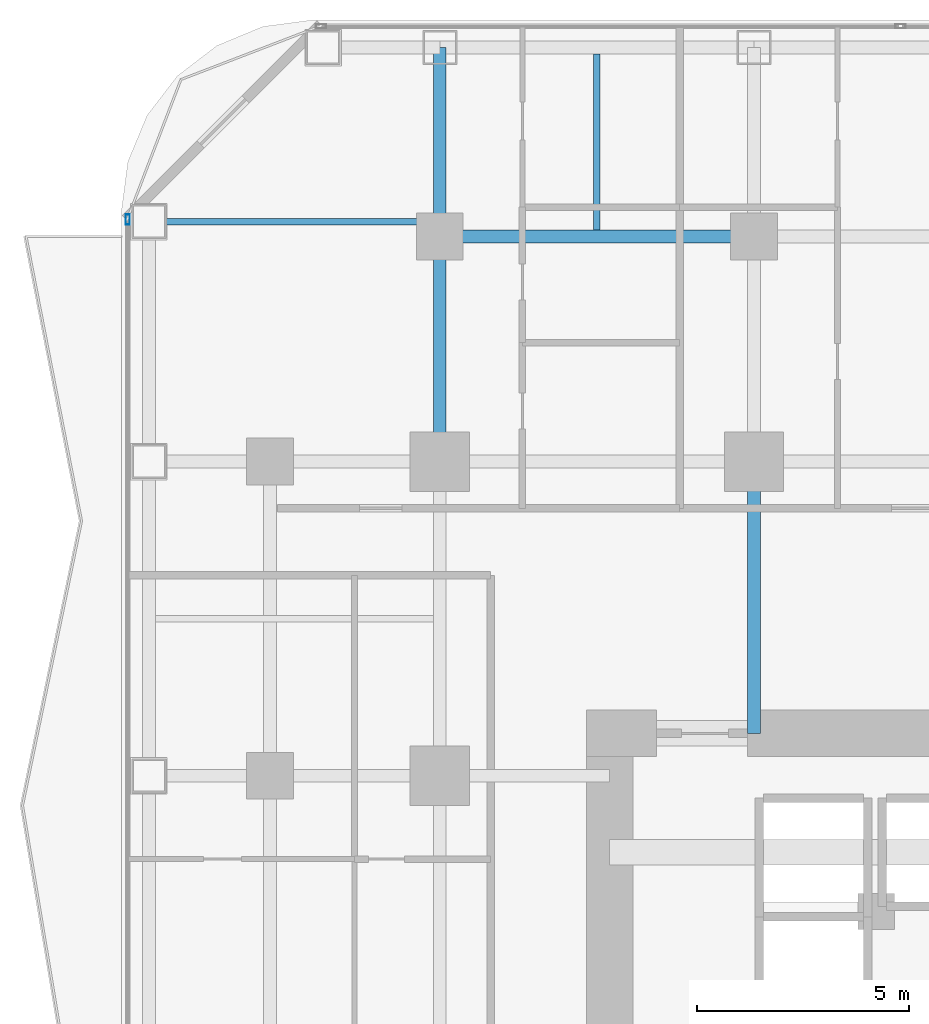
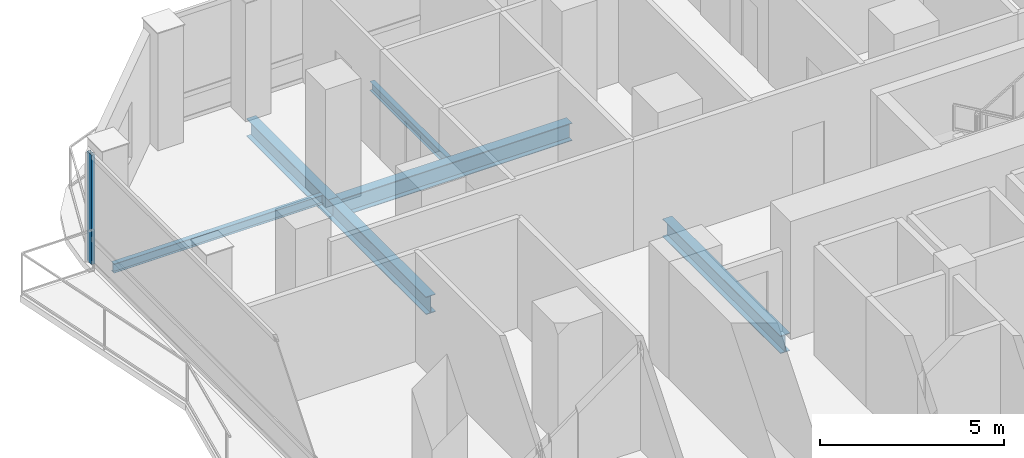
# One storey, part 14 of 27: 6 beams, 1 member, 1 element without a shape of its own.
"""IFC4 building model written with IfcOpenShell, lengths in metres."""

import ifcopenshell
import ifcopenshell.guid

model = None  # the IFC model being written
_history = None  # IfcOwnerHistory: only IFC2X3 demands one
_inside = {}  # id of a spatial element -> (the spatial element, [elements in it])
_under = {}  # id of a project, library or spatial element -> (it, [spatial elements below it])
_declared = {}  # id of a project -> (the project, [libraries it declares])
_typed = {}  # id of a type object -> (the type object, [elements of that type])
_made_of = {}  # id of a material, layer set ... -> (it, [elements and type objects made of it])


def new_model(schema):
    """Start an empty IFC model of exactly this schema.

    Asked for "IFC4X3", IfcOpenShell would pick the latest addendum, in which some entities
    have other attributes; the version numbers below select the first issue.
    IFC2X3 requires an IfcOwnerHistory on every rooted entity: one is made here for all.
    """
    global model, _history
    if schema == "IFC4X3":
        model = ifcopenshell.file(schema_version=(4, 3, 0, 0))
    else:
        model = ifcopenshell.file(schema=schema)
    _inside.clear()
    _under.clear()
    _declared.clear()
    _typed.clear()
    _made_of.clear()
    _history = None
    if model.schema == "IFC2X3":
        org = make("IfcOrganization", Name="unknown")
        user = make(
            "IfcPersonAndOrganization",
            ThePerson=make("IfcPerson", FamilyName="unknown"),
            TheOrganization=org,
        )
        app = make(
            "IfcApplication",
            ApplicationDeveloper=org,
            Version="unknown",
            ApplicationFullName="unknown",
            ApplicationIdentifier="unknown",
        )
        _history = make(
            "IfcOwnerHistory",
            OwningUser=user,
            OwningApplication=app,
            ChangeAction="ADDED",
            CreationDate=0,
        )
    return model


def make(cls, **values):
    """One entity of the class cls with the attributes given. An attribute that is None is left unset."""
    return model.create_entity(
        cls, **{name: value for name, value in values.items() if value is not None}
    )


def rooted(cls, **values):
    """An entity with a GlobalId (a new one), such as an element, a storey or a relation."""
    return make(cls, GlobalId=ifcopenshell.guid.new(), OwnerHistory=_history, **values)


def si_unit(unit_type, name, prefix=None):
    """IfcSIUnit, for example si_unit("LENGTHUNIT", "METRE", prefix="MILLI")."""
    return make("IfcSIUnit", UnitType=unit_type, Prefix=prefix, Name=name)


def assignment(units):
    """IfcUnitAssignment: the units of a project."""
    return None if units is None else make("IfcUnitAssignment", Units=units)


def point(xyz):
    """IfcCartesianPoint."""
    return None if xyz is None else make("IfcCartesianPoint", Coordinates=xyz)


def direction(xyz):
    """IfcDirection."""
    return None if xyz is None else make("IfcDirection", DirectionRatios=xyz)


def frame(location, z_axis=None, x_axis=None):
    """IfcAxis2Placement3D, a coordinate frame: its origin and axes. An axis left out is left unset."""
    return make(
        "IfcAxis2Placement3D",
        Location=point(location),
        Axis=direction(z_axis),
        RefDirection=direction(x_axis),
    )


def frame_2d(location, x_axis=None):
    """IfcAxis2Placement2D, a coordinate frame in the plane: its origin and x axis."""
    return make(
        "IfcAxis2Placement2D", Location=point(location), RefDirection=direction(x_axis)
    )


def origin():
    """The frame at (0, 0, 0) with its axes left unset."""
    return frame((0.0, 0.0, 0.0))


def origin_2d():
    """The frame at (0, 0) in the plane with its x axis left unset."""
    return frame_2d((0.0, 0.0))


def place(relative_to, where):
    """IfcLocalPlacement: puts the frame where relative to a parent placement (None: the world)."""
    return make(
        "IfcLocalPlacement", PlacementRelTo=relative_to, RelativePlacement=where
    )


def context(
    kind, dimensions, precision=None, world=None, true_north=None, identifier=None
):
    """IfcGeometricRepresentationContext, for example the 3D "Model" context."""
    return make(
        "IfcGeometricRepresentationContext",
        ContextIdentifier=identifier,
        ContextType=kind,
        CoordinateSpaceDimension=dimensions,
        Precision=precision,
        WorldCoordinateSystem=world,
        TrueNorth=true_north,
    )


def subcontext(parent, identifier, kind, view, scale=None):
    """IfcGeometricRepresentationSubContext, for example "Body" below "Model"."""
    return make(
        "IfcGeometricRepresentationSubContext",
        ContextIdentifier=identifier,
        ContextType=kind,
        ParentContext=parent,
        TargetScale=scale,
        TargetView=view,
    )


def project(units=None, contexts=None):
    """IfcProject with its units and contexts."""
    return rooted(
        "IfcProject",
        Name="project",
        RepresentationContexts=contexts,
        UnitsInContext=assignment(units),
    )


def spatial(cls, under=None, at=None, **own):
    """A site, building, storey or space (cls), placed at a placement, below another one or the project."""
    s = rooted(cls, ObjectPlacement=at, **own)
    if under is not None:
        _under.setdefault(under.id(), (under, []))[1].append(s)
    return s


def profile(cls, at=None, kind="AREA", **sizes):
    """A parametric profile (cls). Its sizes go by their IFC names, for example OverallWidth=200.0."""
    return make(cls, ProfileType=kind, Position=at, **sizes)


def hollow_rectangle(**sizes):
    """IfcRectangleHollowProfileDef."""
    return profile("IfcRectangleHollowProfileDef", **sizes)


def i_section(**sizes):
    """IfcIShapeProfileDef."""
    return profile("IfcIShapeProfileDef", **sizes)


def extrude(swept, where, along, depth):
    """IfcExtrudedAreaSolid: the profile swept, set in the frame where, extruded along a direction by depth."""
    return make(
        "IfcExtrudedAreaSolid",
        SweptArea=swept,
        Position=where,
        ExtrudedDirection=direction(along),
        Depth=depth,
    )


def shape(context_of_items, identifier, shape_type, items):
    """IfcShapeRepresentation: the items that make up one representation, for example the "Body"."""
    return make(
        "IfcShapeRepresentation",
        ContextOfItems=context_of_items,
        RepresentationIdentifier=identifier,
        RepresentationType=shape_type,
        Items=items,
    )


def material(Name=None, Category=None):
    """IfcMaterial."""
    return make("IfcMaterial", Name=Name, Category=Category)


def layer(
    of_material, thickness, ventilated=None, Name=None, Category=None, Priority=None
):
    """IfcMaterialLayer: one layer of a wall or slab, of a material (None: an air gap)."""
    return make(
        "IfcMaterialLayer",
        Material=of_material,
        LayerThickness=thickness,
        IsVentilated=ventilated,
        Name=Name,
        Category=Category,
        Priority=Priority,
    )


def layer_set(layers, Name=None):
    """IfcMaterialLayerSet."""
    return make("IfcMaterialLayerSet", MaterialLayers=layers, LayerSetName=Name)


def material_profile(
    of_material, cross_section, Name=None, Category=None, Priority=None
):
    """IfcMaterialProfile: a cross section and its material."""
    return make(
        "IfcMaterialProfile",
        Name=Name,
        Material=of_material,
        Profile=cross_section,
        Priority=Priority,
        Category=Category,
    )


def profile_set(profiles, Name=None, composite=None):
    """IfcMaterialProfileSet."""
    return make(
        "IfcMaterialProfileSet",
        Name=Name,
        MaterialProfiles=profiles,
        CompositeProfile=composite,
    )


def made_of(thing, what):
    """Note that an element or type object is made of a material, layer set ...; save() writes the relation."""
    if what is not None:
        _made_of.setdefault(what.id(), (what, []))[1].append(thing)
    return thing


def type_object(cls, material=None, **own):
    """A type object (cls), such as IfcWallType, which elements share."""
    return made_of(rooted(cls, **own), material)


def element(
    cls,
    number,
    at=None,
    inside=None,
    cuts=None,
    type_object=None,
    material=None,
    context=None,
    identifier="Body",
    shape_type=None,
    held_by="IfcProductDefinitionShape",
    body=None,
    shapes=None,
    **own,
):
    """One element of the class cls, such as IfcWall. Its Tag is "e" and its number.

    at: its placement. inside: the storey or other place that contains it. cuts: it is an
    opening in that element (IfcRelVoidsElement). A single representation is given by context,
    identifier, shape_type and body (its items); several are given by shapes. held_by: the class
    of the entity that holds the representations. save() writes the other relations.
    """
    e = rooted(cls, Tag="e%d" % number, ObjectPlacement=at, **own)
    if body is not None:
        shapes = [shape(context, identifier, shape_type, body)]
    if shapes is not None:
        e.Representation = make(held_by, Representations=shapes)
    if inside is not None:
        _inside.setdefault(inside.id(), (inside, []))[1].append(e)
    if cuts is not None:
        rooted(
            "IfcRelVoidsElement", RelatingBuildingElement=cuts, RelatedOpeningElement=e
        )
    if type_object is not None:
        _typed.setdefault(type_object.id(), (type_object, []))[1].append(e)
    return made_of(e, material)


def aggregate(whole, parts):
    """IfcRelAggregates: a whole, such as a stair, and the parts it consists of."""
    return rooted("IfcRelAggregates", RelatingObject=whole, RelatedObjects=parts)


def save(model, path):
    """Write the relations noted so far, then the file.

    IfcRelAggregates (storeys below a building ...), IfcRelContainedInSpatialStructure (elements
    in a storey), IfcRelDefinesByType, IfcRelAssociatesMaterial and IfcRelDeclares: one each for
    every whole, place, type object, material and project.
    """
    for whole, parts in _under.values():
        aggregate(whole, parts)
    for where, things in _inside.values():
        rooted(
            "IfcRelContainedInSpatialStructure",
            RelatedElements=things,
            RelatingStructure=where,
        )
    for kind, things in _typed.values():
        rooted("IfcRelDefinesByType", RelatedObjects=things, RelatingType=kind)
    for what, things in _made_of.values():
        rooted("IfcRelAssociatesMaterial", RelatedObjects=things, RelatingMaterial=what)
    for by, libraries in _declared.values():
        rooted("IfcRelDeclares", RelatingContext=by, RelatedDefinitions=libraries)
    model.write(path)


model = new_model("IFC4")

# Units and contexts
model_context = context("Model", 3, precision=1e-05, world=origin(), true_north=direction((0.0, 1.0)))
body_context = subcontext(model_context, "Body", "Model", "MODEL_VIEW")
ifc_project = project(units=[si_unit("LENGTHUNIT", "METRE"), si_unit("AREAUNIT", "SQUARE_METRE"), si_unit("VOLUMEUNIT", "CUBIC_METRE"), si_unit("PLANEANGLEUNIT", "RADIAN"), si_unit("MASSUNIT", "GRAM", prefix="KILO")], contexts=[model_context])

# Site, building, storey
site_placement = place(None, origin())
site = spatial("IfcSite", under=ifc_project, at=site_placement, CompositionType="ELEMENT")
building_placement = place(site_placement, origin())
building = spatial("IfcBuilding", under=site, at=building_placement, Name="Khorvyn Point Tower", CompositionType="ELEMENT")
storey_placement = place(building_placement, frame((0.0, 0.0, 50.10009765625)))
storey = spatial("IfcBuildingStorey", under=building, at=storey_placement, Name="L13", CompositionType="ELEMENT", Elevation=50.10009765625)

# Curtain wall, member
ifc_material_1 = material(Name="Anodised aluminium 6063-T6 and laminated Low-E glass", Category="aluminium")
ifc_layer = layer(ifc_material_1, 0.18994140625)
ifc_layer_set = layer_set([ifc_layer], Name="Stick-Built Finned Residential Curtain Wall CW-SYS-02")
curtain_wall_type = type_object("IfcCurtainWallType", Name="Stick-Built Finned Residential Curtain Wall CW-SYS-02", PredefinedType="NOTDEFINED", material=ifc_layer_set)
curtain_wall_placement = place(storey_placement, origin())
curtain_wall = element("IfcCurtainWall", 1, at=curtain_wall_placement, inside=storey, type_object=curtain_wall_type, Name="Curtain Wall", PredefinedType="NOTDEFINED")
ifc_material_2 = material(Name="Anodised aluminium 6063-T6", Category="aluminium")
ifc_material_profile_1 = material_profile(ifc_material_2, hollow_rectangle(XDim=0.10009765625, YDim=0.239990234375, WallThickness=0.0048828125, at=origin_2d()))
ifc_profile_set_1 = profile_set([ifc_material_profile_1], Name="Anodised aluminium 6063-T6 ALU-MUL-100x240")
member_type = type_object("IfcMemberType", Name="Anodised Aluminium 6063-T6 Mullion ALU-MUL-100x240", PredefinedType="MULLION", material=ifc_profile_set_1)
member_placement = place(storey_placement, frame((-22.14990234375, 20.5, 0.0), z_axis=(0.0, 0.0, 1.0), x_axis=(-1.0, 0.0, 0.0)))
member = element("IfcMember", 2, at=member_placement, type_object=member_type, Name="Transom", PredefinedType="MULLION", context=body_context, shape_type="SweptSolid", body=[
    extrude(hollow_rectangle(XDim=0.10009765625, YDim=0.239990234375, WallThickness=0.0048828125, at=origin_2d()), origin(), (0.0, 0.0, 1.0), 3.619873046875),
])
aggregate(curtain_wall, [member])

# Beams
ifc_material_3 = material(Name="Steel S355", Category="steel")
ifc_material_profile_2 = material_profile(ifc_material_3, i_section(OverallWidth=0.300048828125, OverallDepth=0.587890625, WebThickness=0.011962890625, FlangeThickness=0.02001953125, at=origin_2d()))
ifc_profile_set_2 = profile_set([ifc_material_profile_2], Name="Steel S355 H588x300x12x20")
beam_type_1 = type_object("IfcBeamType", Name="Steel S355 Beam H588x300x12x20", PredefinedType="BEAM", material=ifc_profile_set_2)
beam_1_placement = place(storey_placement, frame((-14.800048828125, 20.10009765625, -0.51416015625), z_axis=(1.0, 0.0, 0.0), x_axis=(0.0, 1.0, 0.0)))
element("IfcBeam", 3, at=beam_1_placement, inside=storey, type_object=beam_type_1, Name="Beam", PredefinedType="BEAM", context=body_context, shape_type="SweptSolid", body=[
    extrude(i_section(OverallWidth=0.300048828125, OverallDepth=0.587890625, WebThickness=0.011962890625, FlangeThickness=0.02001953125, at=origin_2d()), origin(), (0.0, 0.0, 1.0), 7.400146484375),
])
beam_2_placement = place(storey_placement, frame((-14.800048828125, 14.800048828125, -0.51416015625), z_axis=(0.0, 1.0, 0.0), x_axis=(-1.0, 0.0, 0.0)))
element("IfcBeam", 4, at=beam_2_placement, inside=storey, type_object=beam_type_1, Name="Beam", PredefinedType="BEAM", context=body_context, shape_type="SweptSolid", body=[
    extrude(i_section(OverallWidth=0.300048828125, OverallDepth=0.587890625, WebThickness=0.011962890625, FlangeThickness=0.02001953125, at=origin_2d()), origin(), (0.0, 0.0, 1.0), 5.300048828125),
])
beam_3_placement = place(storey_placement, frame((-14.800048828125, 20.10009765625, -0.51416015625), z_axis=(0.0, 1.0, 0.0), x_axis=(-1.0, 0.0, 0.0)))
element("IfcBeam", 5, at=beam_3_placement, inside=storey, type_object=beam_type_1, Name="Beam", PredefinedType="BEAM", context=body_context, shape_type="SweptSolid", body=[
    extrude(i_section(OverallWidth=0.300048828125, OverallDepth=0.587890625, WebThickness=0.011962890625, FlangeThickness=0.02001953125, at=origin_2d()), origin(), (0.0, 0.0, 1.0), 4.449951171875),
])
beam_4_placement = place(storey_placement, frame((-7.39990234375, 8.39990234375, -0.51416015625), z_axis=(0.0, 1.0, 0.0), x_axis=(-1.0, 0.0, 0.0)))
element("IfcBeam", 6, at=beam_4_placement, inside=storey, type_object=beam_type_1, Name="Beam", PredefinedType="BEAM", context=body_context, shape_type="SweptSolid", body=[
    extrude(i_section(OverallWidth=0.300048828125, OverallDepth=0.587890625, WebThickness=0.011962890625, FlangeThickness=0.02001953125, at=origin_2d()), origin(), (0.0, 0.0, 1.0), 6.400146484375),
])
ifc_material_profile_3 = material_profile(ifc_material_3, i_section(OverallWidth=0.14990234375, OverallDepth=0.300048828125, WebThickness=0.006591796875, FlangeThickness=0.009033203125, at=origin_2d()))
ifc_profile_set_3 = profile_set([ifc_material_profile_3], Name="Steel S355 H300x150x6.5x9")
beam_type_2 = type_object("IfcBeamType", Name="Steel S355 Joist H300x150x6.5x9", PredefinedType="JOIST", material=ifc_profile_set_3)
beam_5_placement = place(storey_placement, frame((-11.10009765625, 20.25, -0.3701171875), z_axis=(0.0, 1.0, 0.0), x_axis=(-1.0, 0.0, 0.0)))
element("IfcBeam", 7, at=beam_5_placement, inside=storey, type_object=beam_type_2, Name="Beam", PredefinedType="JOIST", context=body_context, shape_type="SweptSolid", body=[
    extrude(i_section(OverallWidth=0.14990234375, OverallDepth=0.300048828125, WebThickness=0.006591796875, FlangeThickness=0.009033203125, at=origin_2d()), origin(), (0.0, 0.0, 1.0), 4.14990234375),
])
beam_6_placement = place(storey_placement, frame((-21.5, 20.449951171875, -0.3701171875), z_axis=(1.0, 0.0, 0.0), x_axis=(0.0, 1.0, 0.0)))
element("IfcBeam", 8, at=beam_6_placement, inside=storey, type_object=beam_type_2, Name="Beam", PredefinedType="JOIST", context=body_context, shape_type="SweptSolid", body=[
    extrude(i_section(OverallWidth=0.14990234375, OverallDepth=0.300048828125, WebThickness=0.006591796875, FlangeThickness=0.009033203125, at=origin_2d()), origin(), (0.0, 0.0, 1.0), 6.550048828125),
])

save(model, "model.ifc")
